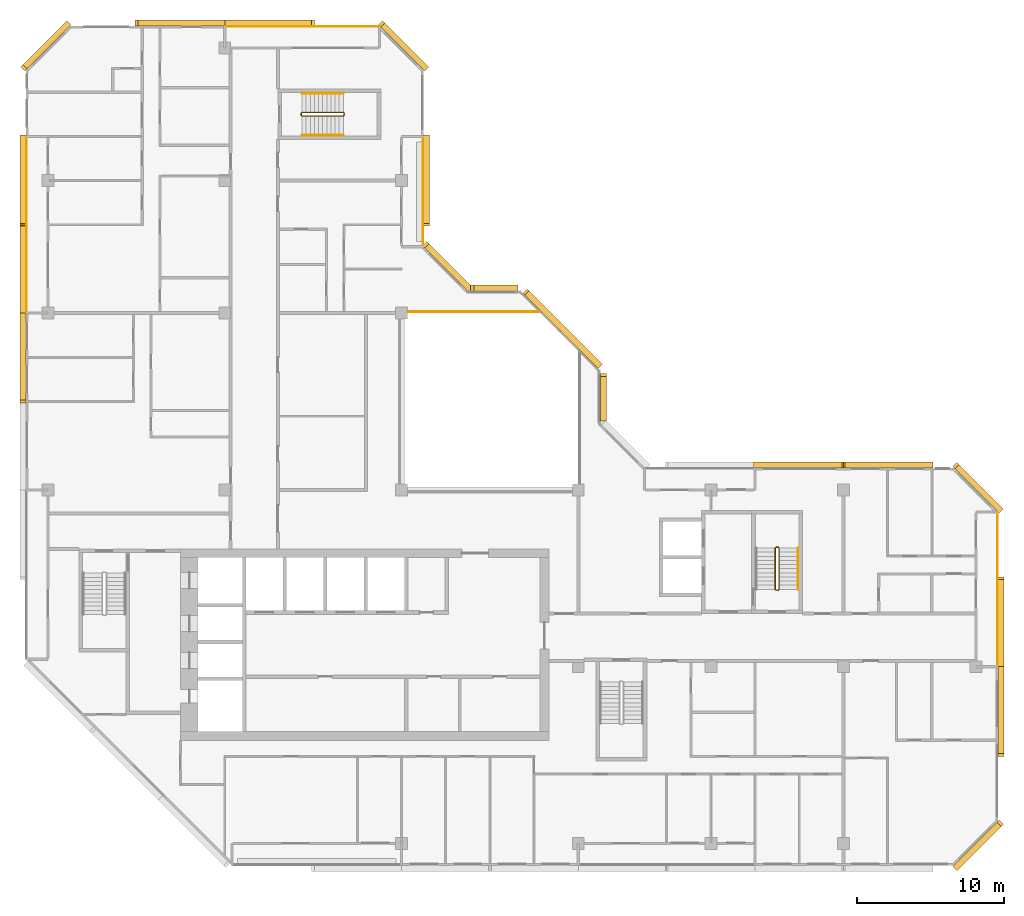
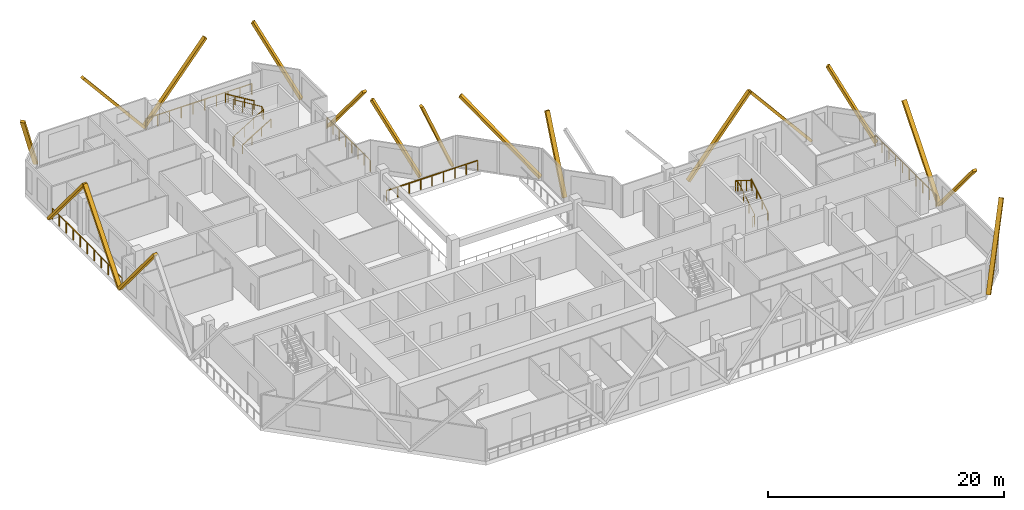
# One storey, part 13 of 13: 18 coverings, 10 railings.
"""IFC4 building model written with IfcOpenShell, lengths in metres."""

from ifc_helpers import new_model, si_unit, direction, frame, origin, origin_2d, place, context, subcontext, project, spatial, rectangle, extrude, material, material_profile, profile_set, type_object, element, save


model = new_model("IFC4")

# Units and contexts
model_context = context("Model", 3, precision=1e-05, world=origin(), true_north=direction((0.0, 1.0)))
body_context = subcontext(model_context, "Body", "Model", "MODEL_VIEW")
ifc_project = project(units=[si_unit("LENGTHUNIT", "METRE"), si_unit("AREAUNIT", "SQUARE_METRE"), si_unit("VOLUMEUNIT", "CUBIC_METRE"), si_unit("PLANEANGLEUNIT", "RADIAN"), si_unit("MASSUNIT", "GRAM", prefix="KILO")], contexts=[model_context])

# Site, building, storey
site_placement = place(None, origin())
site = spatial("IfcSite", under=ifc_project, at=site_placement, CompositionType="ELEMENT")
building_placement = place(site_placement, origin())
building = spatial("IfcBuilding", under=site, at=building_placement, Name="Chenar Terraces", CompositionType="ELEMENT")
storey_placement = place(building_placement, frame((0.0, 0.0, 280.89990234375)))
storey = spatial("IfcBuildingStorey", under=building, at=storey_placement, Name="L65", CompositionType="ELEMENT", Elevation=280.89990234375)

# Railings
ifc_material_1 = material(Name="Powder-coated steel", Category="steel")
railing_type_1 = type_object("IfcRailingType", Name="Guard 1100 steel rail with glass infill", PredefinedType="GUARDRAIL", material=ifc_material_1)
railing_1_placement = place(storey_placement, frame((24.449951171875, 36.10009765625, 0.0)))
element("IfcRailing", 1, at=railing_1_placement, inside=storey, type_object=railing_type_1, Name="Guard L65-2", PredefinedType="GUARDRAIL", context=body_context, shape_type="SweptSolid", body=[
    extrude(rectangle(XDim=0.06005859375, YDim=0.06005859375, at=origin_2d()), frame((0.0, 0.0, 1.070068359375), z_axis=(1.0, 0.0, 0.0), x_axis=(0.0, 1.0, 0.0)), (0.0, 0.0, 1.0), 8.949951171875),
    extrude(rectangle(XDim=0.050048828125, YDim=0.050048828125, at=origin_2d()), origin(), (0.0, 0.0, 1.0), 1.0400390625),
    extrude(rectangle(XDim=0.050048828125, YDim=0.050048828125, at=origin_2d()), frame((1.11865234375, 0.0, 0.0)), (0.0, 0.0, 1.0), 1.0400390625),
    extrude(rectangle(XDim=0.050048828125, YDim=0.050048828125, at=origin_2d()), frame((2.237548828125, 0.0, 0.0)), (0.0, 0.0, 1.0), 1.0400390625),
    extrude(rectangle(XDim=0.050048828125, YDim=0.050048828125, at=origin_2d()), frame((3.356201171875, 0.0, 0.0)), (0.0, 0.0, 1.0), 1.0400390625),
    extrude(rectangle(XDim=0.050048828125, YDim=0.050048828125, at=origin_2d()), frame((4.47509765625, 0.0, 0.0)), (0.0, 0.0, 1.0), 1.0400390625),
    extrude(rectangle(XDim=0.050048828125, YDim=0.050048828125, at=origin_2d()), frame((5.59375, 0.0, 0.0)), (0.0, 0.0, 1.0), 1.0400390625),
    extrude(rectangle(XDim=0.050048828125, YDim=0.050048828125, at=origin_2d()), frame((6.71240234375, 0.0, 0.0)), (0.0, 0.0, 1.0), 1.0400390625),
    extrude(rectangle(XDim=0.050048828125, YDim=0.050048828125, at=origin_2d()), frame((7.831298828125, 0.0, 0.0)), (0.0, 0.0, 1.0), 1.0400390625),
    extrude(rectangle(XDim=0.050048828125, YDim=0.050048828125, at=origin_2d()), frame((8.949951171875, 0.0, 0.0)), (0.0, 0.0, 1.0), 1.0400390625),
])
ifc_material_2 = material(Name="Stainless steel and glass", Category="steel")
railing_type_2 = type_object("IfcRailingType", Name="Loggia guard 1150", PredefinedType="GUARDRAIL", material=ifc_material_2)
railing_2_placement = place(storey_placement, frame((25.449951171875, 40.574951171875, 0.0)))
element("IfcRailing", 2, at=railing_2_placement, inside=storey, type_object=railing_type_2, Name="Loggia guard", PredefinedType="GUARDRAIL", context=body_context, shape_type="SweptSolid", body=[
    extrude(rectangle(XDim=0.048095703125, YDim=0.048095703125, at=origin_2d()), frame((0.0, 0.0, 1.1259765625), z_axis=(0.0, 1.0, 0.0), x_axis=(-1.0, 0.0, 0.0)), (0.0, 0.0, 1.0), 7.35009765625),
    extrude(rectangle(XDim=0.0419921875, YDim=0.0419921875, at=origin_2d()), origin(), (0.0, 0.0, 1.0), 1.101806640625),
    extrude(rectangle(XDim=0.0419921875, YDim=0.0419921875, at=origin_2d()), frame((0.0, 1.050048828125, 0.0)), (0.0, 0.0, 1.0), 1.101806640625),
    extrude(rectangle(XDim=0.0419921875, YDim=0.0419921875, at=origin_2d()), frame((0.0, 2.10009765625, 0.0)), (0.0, 0.0, 1.0), 1.101806640625),
    extrude(rectangle(XDim=0.0419921875, YDim=0.0419921875, at=origin_2d()), frame((0.0, 3.150146484375, 0.0)), (0.0, 0.0, 1.0), 1.101806640625),
    extrude(rectangle(XDim=0.0419921875, YDim=0.0419921875, at=origin_2d()), frame((0.0, 4.199951171875, 0.0)), (0.0, 0.0, 1.0), 1.101806640625),
    extrude(rectangle(XDim=0.0419921875, YDim=0.0419921875, at=origin_2d()), frame((0.0, 5.25, 0.0)), (0.0, 0.0, 1.0), 1.101806640625),
    extrude(rectangle(XDim=0.0419921875, YDim=0.0419921875, at=origin_2d()), frame((0.0, 6.300048828125, 0.0)), (0.0, 0.0, 1.0), 1.101806640625),
    extrude(rectangle(XDim=0.0419921875, YDim=0.0419921875, at=origin_2d()), frame((0.0, 7.35009765625, 0.0)), (0.0, 0.0, 1.0), 1.101806640625),
])
railing_3_placement = place(storey_placement, frame((64.449951171875, 12.074951171875, 0.0)))
element("IfcRailing", 3, at=railing_3_placement, inside=storey, type_object=railing_type_2, Name="Loggia guard", PredefinedType="GUARDRAIL", context=body_context, shape_type="SweptSolid", body=[
    extrude(rectangle(XDim=0.048095703125, YDim=0.048095703125, at=origin_2d()), frame((0.0, 0.0, 1.1259765625), z_axis=(0.0, 1.0, 0.0), x_axis=(-1.0, 0.0, 0.0)), (0.0, 0.0, 1.0), 10.35009765625),
    extrude(rectangle(XDim=0.0419921875, YDim=0.0419921875, at=origin_2d()), origin(), (0.0, 0.0, 1.0), 1.101806640625),
    extrude(rectangle(XDim=0.0419921875, YDim=0.0419921875, at=origin_2d()), frame((0.0, 1.14990234375, 0.0)), (0.0, 0.0, 1.0), 1.101806640625),
    extrude(rectangle(XDim=0.0419921875, YDim=0.0419921875, at=origin_2d()), frame((0.0, 2.300048828125, 0.0)), (0.0, 0.0, 1.0), 1.101806640625),
    extrude(rectangle(XDim=0.0419921875, YDim=0.0419921875, at=origin_2d()), frame((0.0, 3.449951171875, 0.0)), (0.0, 0.0, 1.0), 1.101806640625),
    extrude(rectangle(XDim=0.0419921875, YDim=0.0419921875, at=origin_2d()), frame((0.0, 4.60009765625, 0.0)), (0.0, 0.0, 1.0), 1.101806640625),
    extrude(rectangle(XDim=0.0419921875, YDim=0.0419921875, at=origin_2d()), frame((0.0, 5.75, 0.0)), (0.0, 0.0, 1.0), 1.101806640625),
    extrude(rectangle(XDim=0.0419921875, YDim=0.0419921875, at=origin_2d()), frame((0.0, 6.900146484375, 0.0)), (0.0, 0.0, 1.0), 1.101806640625),
    extrude(rectangle(XDim=0.0419921875, YDim=0.0419921875, at=origin_2d()), frame((0.0, 8.050048828125, 0.0)), (0.0, 0.0, 1.0), 1.101806640625),
    extrude(rectangle(XDim=0.0419921875, YDim=0.0419921875, at=origin_2d()), frame((0.0, 9.2001953125, 0.0)), (0.0, 0.0, 1.0), 1.101806640625),
    extrude(rectangle(XDim=0.0419921875, YDim=0.0419921875, at=origin_2d()), frame((0.0, 10.35009765625, 0.0)), (0.0, 0.0, 1.0), 1.101806640625),
])
railing_4_placement = place(storey_placement, frame((22.425048828125, 55.449951171875, 0.0)))
element("IfcRailing", 4, at=railing_4_placement, inside=storey, type_object=railing_type_2, Name="Loggia guard", PredefinedType="GUARDRAIL", context=body_context, shape_type="SweptSolid", body=[
    extrude(rectangle(XDim=0.048095703125, YDim=0.048095703125, at=origin_2d()), frame((0.0, 0.0, 1.1259765625), z_axis=(-1.0, 0.0, 0.0), x_axis=(0.0, -1.0, 0.0)), (0.0, 0.0, 1.0), 10.35009765625),
    extrude(rectangle(XDim=0.0419921875, YDim=0.0419921875, at=origin_2d()), origin(), (0.0, 0.0, 1.0), 1.101806640625),
    extrude(rectangle(XDim=0.0419921875, YDim=0.0419921875, at=origin_2d()), frame((-1.14990234375, 0.0, 0.0)), (0.0, 0.0, 1.0), 1.101806640625),
    extrude(rectangle(XDim=0.0419921875, YDim=0.0419921875, at=origin_2d()), frame((-2.300048828125, 0.0, 0.0)), (0.0, 0.0, 1.0), 1.101806640625),
    extrude(rectangle(XDim=0.0419921875, YDim=0.0419921875, at=origin_2d()), frame((-3.449951171875, 0.0, 0.0)), (0.0, 0.0, 1.0), 1.101806640625),
    extrude(rectangle(XDim=0.0419921875, YDim=0.0419921875, at=origin_2d()), frame((-4.60009765625, 0.0, 0.0)), (0.0, 0.0, 1.0), 1.101806640625),
    extrude(rectangle(XDim=0.0419921875, YDim=0.0419921875, at=origin_2d()), frame((-5.75, 0.0, 0.0)), (0.0, 0.0, 1.0), 1.101806640625),
    extrude(rectangle(XDim=0.0419921875, YDim=0.0419921875, at=origin_2d()), frame((-6.900146484375, 0.0, 0.0)), (0.0, 0.0, 1.0), 1.101806640625),
    extrude(rectangle(XDim=0.0419921875, YDim=0.0419921875, at=origin_2d()), frame((-8.050048828125, 0.0, 0.0)), (0.0, 0.0, 1.0), 1.101806640625),
    extrude(rectangle(XDim=0.0419921875, YDim=0.0419921875, at=origin_2d()), frame((-9.2001953125, 0.0, 0.0)), (0.0, 0.0, 1.0), 1.101806640625),
    extrude(rectangle(XDim=0.0419921875, YDim=0.0419921875, at=origin_2d()), frame((-10.35009765625, 0.0, 0.0)), (0.0, 0.0, 1.0), 1.101806640625),
])
railing_5_placement = place(storey_placement, frame((-1.449951171875, 47.925048828125, 0.0)))
element("IfcRailing", 5, at=railing_5_placement, inside=storey, type_object=railing_type_2, Name="Loggia guard", PredefinedType="GUARDRAIL", context=body_context, shape_type="SweptSolid", body=[
    extrude(rectangle(XDim=0.048095703125, YDim=0.048095703125, at=origin_2d()), frame((0.0, 0.0, 1.1259765625), z_axis=(0.0, -1.0, 0.0), x_axis=(1.0, 0.0, 0.0)), (0.0, 0.0, 1.0), 11.85009765625),
    extrude(rectangle(XDim=0.0419921875, YDim=0.0419921875, at=origin_2d()), origin(), (0.0, 0.0, 1.0), 1.101806640625),
    extrude(rectangle(XDim=0.0419921875, YDim=0.0419921875, at=origin_2d()), frame((0.0, -1.18505859375, 0.0)), (0.0, 0.0, 1.0), 1.101806640625),
    extrude(rectangle(XDim=0.0419921875, YDim=0.0419921875, at=origin_2d()), frame((0.0, -2.3701171875, 0.0)), (0.0, 0.0, 1.0), 1.101806640625),
    extrude(rectangle(XDim=0.0419921875, YDim=0.0419921875, at=origin_2d()), frame((0.0, -3.554931640625, 0.0)), (0.0, 0.0, 1.0), 1.101806640625),
    extrude(rectangle(XDim=0.0419921875, YDim=0.0419921875, at=origin_2d()), frame((0.0, -4.739990234375, 0.0)), (0.0, 0.0, 1.0), 1.101806640625),
    extrude(rectangle(XDim=0.0419921875, YDim=0.0419921875, at=origin_2d()), frame((0.0, -5.925048828125, 0.0)), (0.0, 0.0, 1.0), 1.101806640625),
    extrude(rectangle(XDim=0.0419921875, YDim=0.0419921875, at=origin_2d()), frame((0.0, -7.110107421875, 0.0)), (0.0, 0.0, 1.0), 1.101806640625),
    extrude(rectangle(XDim=0.0419921875, YDim=0.0419921875, at=origin_2d()), frame((0.0, -8.295166015625, 0.0)), (0.0, 0.0, 1.0), 1.101806640625),
    extrude(rectangle(XDim=0.0419921875, YDim=0.0419921875, at=origin_2d()), frame((0.0, -9.47998046875, 0.0)), (0.0, 0.0, 1.0), 1.101806640625),
    extrude(rectangle(XDim=0.0419921875, YDim=0.0419921875, at=origin_2d()), frame((0.0, -10.6650390625, 0.0)), (0.0, 0.0, 1.0), 1.101806640625),
    extrude(rectangle(XDim=0.0419921875, YDim=0.0419921875, at=origin_2d()), frame((0.0, -11.85009765625, 0.0)), (0.0, 0.0, 1.0), 1.101806640625),
])
ifc_material_3 = material(Name="Powder-coated steel", Category="steel")
railing_type_3 = type_object("IfcRailingType", Name="Stair guard 1100", PredefinedType="GUARDRAIL", material=ifc_material_3)
railing_6_placement = place(storey_placement, frame((49.375, 17.25, 3.75)))
element("IfcRailing", 6, at=railing_6_placement, inside=storey, type_object=railing_type_3, Name="L65 ST3 stair guard 1", PredefinedType="GUARDRAIL", context=body_context, shape_type="SweptSolid", body=[
    extrude(rectangle(XDim=0.048095703125, YDim=0.048095703125, at=origin_2d()), frame((0.0, 0.0, 1.076171875), z_axis=(0.0, 0.854202870247, -0.519939858505), x_axis=(-1.0, 0.0, 0.0)), (0.0, 0.0, 1.0), 3.278076171875),
    extrude(rectangle(XDim=0.048095703125, YDim=0.048095703125, at=origin_2d()), frame((0.0, 2.800048828125, -0.62841796875), z_axis=(0.270899902878, 0.270899902878, -0.923702595667), x_axis=(-0.707106781187, 0.707106781187, 0.0)), (0.0, 0.0, 1.0), 0.184814453125),
    extrude(rectangle(XDim=0.048095703125, YDim=0.048095703125, at=origin_2d()), frame((0.050048828125, 2.85009765625, -0.798828125), z_axis=(1.0, 0.0, 0.0), x_axis=(0.0, 1.0, 0.0)), (0.0, 0.0, 1.0), 0.14990234375),
    extrude(rectangle(XDim=0.048095703125, YDim=0.048095703125, at=origin_2d()), frame((0.199951171875, 2.85009765625, -0.798828125), z_axis=(0.707106781187, -0.707106781187, 0.0), x_axis=(0.707106781187, 0.707106781187, 0.0)), (0.0, 0.0, 1.0), 0.07080078125),
    extrude(rectangle(XDim=0.048095703125, YDim=0.048095703125, at=origin_2d()), frame((0.25, 2.800048828125, -0.798828125), z_axis=(0.0, -0.854202870247, -0.519939858505), x_axis=(1.0, 0.0, 0.0)), (0.0, 0.0, 1.0), 3.278076171875),
    extrude(rectangle(XDim=0.048095703125, YDim=0.048095703125, at=origin_2d()), frame((0.25, 0.0, -2.50341796875), z_axis=(-0.270899902878, -0.270899902878, -0.923702595667), x_axis=(0.707106781187, -0.707106781187, 0.0)), (0.0, 0.0, 1.0), 0.184814453125),
    extrude(rectangle(XDim=0.048095703125, YDim=0.048095703125, at=origin_2d()), frame((0.199951171875, -0.050048828125, -2.673828125), z_axis=(-1.0, 0.0, 0.0), x_axis=(0.0, -1.0, 0.0)), (0.0, 0.0, 1.0), 0.14990234375),
    extrude(rectangle(XDim=0.0419921875, YDim=0.0419921875, at=origin_2d()), origin(), (0.0, 0.0, 1.0), 1.052001953125),
    extrude(rectangle(XDim=0.0419921875, YDim=0.0419921875, at=origin_2d()), frame((0.0, 0.933349609375, -0.568115234375)), (0.0, 0.0, 1.0), 1.052001953125),
    extrude(rectangle(XDim=0.0419921875, YDim=0.0419921875, at=origin_2d()), frame((0.0, 1.86669921875, -1.13623046875)), (0.0, 0.0, 1.0), 1.052001953125),
    extrude(rectangle(XDim=0.0419921875, YDim=0.0419921875, at=origin_2d()), frame((0.0, 2.800048828125, -1.704345703125)), (0.0, 0.0, 1.0), 1.052001953125),
    extrude(rectangle(XDim=0.0419921875, YDim=0.0419921875, at=origin_2d()), frame((0.050048828125, 2.85009765625, -1.875)), (0.0, 0.0, 1.0), 1.052001953125),
    extrude(rectangle(XDim=0.0419921875, YDim=0.0419921875, at=origin_2d()), frame((0.199951171875, 2.85009765625, -1.875)), (0.0, 0.0, 1.0), 1.052001953125),
    extrude(rectangle(XDim=0.0419921875, YDim=0.0419921875, at=origin_2d()), frame((0.25, 2.800048828125, -1.875)), (0.0, 0.0, 1.0), 1.052001953125),
    extrude(rectangle(XDim=0.0419921875, YDim=0.0419921875, at=origin_2d()), frame((0.25, 1.86669921875, -2.443115234375)), (0.0, 0.0, 1.0), 1.052001953125),
    extrude(rectangle(XDim=0.0419921875, YDim=0.0419921875, at=origin_2d()), frame((0.25, 0.933349609375, -3.01123046875)), (0.0, 0.0, 1.0), 1.052001953125),
    extrude(rectangle(XDim=0.0419921875, YDim=0.0419921875, at=origin_2d()), frame((0.25, 0.0, -3.579345703125)), (0.0, 0.0, 1.0), 1.052001953125),
    extrude(rectangle(XDim=0.0419921875, YDim=0.0419921875, at=origin_2d()), frame((0.199951171875, -0.050048828125, -3.75)), (0.0, 0.0, 1.0), 1.052001953125),
    extrude(rectangle(XDim=0.0419921875, YDim=0.0419921875, at=origin_2d()), frame((0.050048828125, -0.050048828125, -3.75)), (0.0, 0.0, 1.0), 1.052001953125),
])
railing_7_placement = place(storey_placement, frame((17.25, 49.625, 3.75)))
element("IfcRailing", 7, at=railing_7_placement, inside=storey, type_object=railing_type_3, Name="L65 ST4 stair guard 1", PredefinedType="GUARDRAIL", context=body_context, shape_type="SweptSolid", body=[
    extrude(rectangle(XDim=0.048095703125, YDim=0.048095703125, at=origin_2d()), frame((0.0, 0.0, 1.076171875), z_axis=(0.854202870247, 0.0, -0.519939858505), x_axis=(0.0, 1.0, 0.0)), (0.0, 0.0, 1.0), 3.278076171875),
    extrude(rectangle(XDim=0.048095703125, YDim=0.048095703125, at=origin_2d()), frame((2.800048828125, 0.0, -0.62841796875), z_axis=(0.270899902878, -0.270899902878, -0.923702595667), x_axis=(0.707106781187, 0.707106781187, 0.0)), (0.0, 0.0, 1.0), 0.184814453125),
    extrude(rectangle(XDim=0.048095703125, YDim=0.048095703125, at=origin_2d()), frame((2.85009765625, -0.050048828125, -0.798828125), z_axis=(0.0, -1.0, 0.0), x_axis=(1.0, 0.0, 0.0)), (0.0, 0.0, 1.0), 0.14990234375),
    extrude(rectangle(XDim=0.048095703125, YDim=0.048095703125, at=origin_2d()), frame((2.85009765625, -0.199951171875, -0.798828125), z_axis=(-0.707106781187, -0.707106781187, 0.0), x_axis=(0.707106781187, -0.707106781187, 0.0)), (0.0, 0.0, 1.0), 0.07080078125),
    extrude(rectangle(XDim=0.048095703125, YDim=0.048095703125, at=origin_2d()), frame((2.800048828125, -0.25, -0.798828125), z_axis=(-0.854202870247, 0.0, -0.519939858505), x_axis=(0.0, -1.0, 0.0)), (0.0, 0.0, 1.0), 3.278076171875),
    extrude(rectangle(XDim=0.048095703125, YDim=0.048095703125, at=origin_2d()), frame((0.0, -0.25, -2.50341796875), z_axis=(-0.270899902878, 0.270899902878, -0.923702595667), x_axis=(-0.707106781187, -0.707106781187, 0.0)), (0.0, 0.0, 1.0), 0.184814453125),
    extrude(rectangle(XDim=0.048095703125, YDim=0.048095703125, at=origin_2d()), frame((-0.050048828125, -0.199951171875, -2.673828125), z_axis=(0.0, 1.0, 0.0), x_axis=(-1.0, 0.0, 0.0)), (0.0, 0.0, 1.0), 0.14990234375),
    extrude(rectangle(XDim=0.0419921875, YDim=0.0419921875, at=origin_2d()), origin(), (0.0, 0.0, 1.0), 1.052001953125),
    extrude(rectangle(XDim=0.0419921875, YDim=0.0419921875, at=origin_2d()), frame((0.933349609375, 0.0, -0.568115234375)), (0.0, 0.0, 1.0), 1.052001953125),
    extrude(rectangle(XDim=0.0419921875, YDim=0.0419921875, at=origin_2d()), frame((1.86669921875, 0.0, -1.13623046875)), (0.0, 0.0, 1.0), 1.052001953125),
    extrude(rectangle(XDim=0.0419921875, YDim=0.0419921875, at=origin_2d()), frame((2.800048828125, 0.0, -1.704345703125)), (0.0, 0.0, 1.0), 1.052001953125),
    extrude(rectangle(XDim=0.0419921875, YDim=0.0419921875, at=origin_2d()), frame((2.85009765625, -0.050048828125, -1.875)), (0.0, 0.0, 1.0), 1.052001953125),
    extrude(rectangle(XDim=0.0419921875, YDim=0.0419921875, at=origin_2d()), frame((2.85009765625, -0.199951171875, -1.875)), (0.0, 0.0, 1.0), 1.052001953125),
    extrude(rectangle(XDim=0.0419921875, YDim=0.0419921875, at=origin_2d()), frame((2.800048828125, -0.25, -1.875)), (0.0, 0.0, 1.0), 1.052001953125),
    extrude(rectangle(XDim=0.0419921875, YDim=0.0419921875, at=origin_2d()), frame((1.86669921875, -0.25, -2.443115234375)), (0.0, 0.0, 1.0), 1.052001953125),
    extrude(rectangle(XDim=0.0419921875, YDim=0.0419921875, at=origin_2d()), frame((0.933349609375, -0.25, -3.01123046875)), (0.0, 0.0, 1.0), 1.052001953125),
    extrude(rectangle(XDim=0.0419921875, YDim=0.0419921875, at=origin_2d()), frame((0.0, -0.25, -3.579345703125)), (0.0, 0.0, 1.0), 1.052001953125),
    extrude(rectangle(XDim=0.0419921875, YDim=0.0419921875, at=origin_2d()), frame((-0.050048828125, -0.199951171875, -3.75)), (0.0, 0.0, 1.0), 1.052001953125),
    extrude(rectangle(XDim=0.0419921875, YDim=0.0419921875, at=origin_2d()), frame((-0.050048828125, -0.050048828125, -3.75)), (0.0, 0.0, 1.0), 1.052001953125),
])
ifc_material_4 = material(Name="Powder-coated steel", Category="steel")
railing_type_4 = type_object("IfcRailingType", Name="Stair handrail 900", PredefinedType="HANDRAIL", material=ifc_material_4)
railing_8_placement = place(storey_placement, frame((50.925048828125, 17.25, 0.170654296875)))
element("IfcRailing", 8, at=railing_8_placement, inside=storey, type_object=railing_type_4, Name="L65 ST3 stair handrail 1", PredefinedType="HANDRAIL", context=body_context, shape_type="SweptSolid", body=[
    extrude(rectangle(XDim=0.048095703125, YDim=0.048095703125, at=origin_2d()), frame((0.0, 0.0, 0.8759765625), z_axis=(0.0, 0.854202870247, 0.519939858505), x_axis=(-1.0, 0.0, 0.0)), (0.0, 0.0, 1.0), 3.278076171875),
    extrude(rectangle(XDim=0.0419921875, YDim=0.0419921875, at=origin_2d()), origin(), (0.0, 0.0, 1.0), 0.851806640625),
    extrude(rectangle(XDim=0.0419921875, YDim=0.0419921875, at=origin_2d()), frame((0.0, 0.933349609375, 0.568115234375)), (0.0, 0.0, 1.0), 0.851806640625),
    extrude(rectangle(XDim=0.0419921875, YDim=0.0419921875, at=origin_2d()), frame((0.0, 1.86669921875, 1.13623046875)), (0.0, 0.0, 1.0), 0.851806640625),
    extrude(rectangle(XDim=0.0419921875, YDim=0.0419921875, at=origin_2d()), frame((0.0, 2.800048828125, 1.704345703125)), (0.0, 0.0, 1.0), 0.851806640625),
])
railing_9_placement = place(storey_placement, frame((17.25, 48.074951171875, 0.170654296875)))
element("IfcRailing", 9, at=railing_9_placement, inside=storey, type_object=railing_type_4, Name="L65 ST4 stair handrail 1", PredefinedType="HANDRAIL", context=body_context, shape_type="SweptSolid", body=[
    extrude(rectangle(XDim=0.048095703125, YDim=0.048095703125, at=origin_2d()), frame((0.0, 0.0, 0.8759765625), z_axis=(0.854202870247, 0.0, 0.519939858505), x_axis=(0.0, 1.0, 0.0)), (0.0, 0.0, 1.0), 3.278076171875),
    extrude(rectangle(XDim=0.0419921875, YDim=0.0419921875, at=origin_2d()), origin(), (0.0, 0.0, 1.0), 0.851806640625),
    extrude(rectangle(XDim=0.0419921875, YDim=0.0419921875, at=origin_2d()), frame((0.933349609375, 0.0, 0.568115234375)), (0.0, 0.0, 1.0), 0.851806640625),
    extrude(rectangle(XDim=0.0419921875, YDim=0.0419921875, at=origin_2d()), frame((1.86669921875, 0.0, 1.13623046875)), (0.0, 0.0, 1.0), 0.851806640625),
    extrude(rectangle(XDim=0.0419921875, YDim=0.0419921875, at=origin_2d()), frame((2.800048828125, 0.0, 1.704345703125)), (0.0, 0.0, 1.0), 0.851806640625),
])
railing_10_placement = place(storey_placement, frame((20.050048828125, 50.925048828125, 2.045654296875)))
element("IfcRailing", 10, at=railing_10_placement, inside=storey, type_object=railing_type_4, Name="L65 ST4 stair handrail 2", PredefinedType="HANDRAIL", context=body_context, shape_type="SweptSolid", body=[
    extrude(rectangle(XDim=0.048095703125, YDim=0.048095703125, at=origin_2d()), frame((0.0, 0.0, 0.8759765625), z_axis=(-0.854202870247, 0.0, 0.519939858505), x_axis=(0.0, -1.0, 0.0)), (0.0, 0.0, 1.0), 3.278076171875),
    extrude(rectangle(XDim=0.0419921875, YDim=0.0419921875, at=origin_2d()), origin(), (0.0, 0.0, 1.0), 0.851806640625),
    extrude(rectangle(XDim=0.0419921875, YDim=0.0419921875, at=origin_2d()), frame((-0.933349609375, 0.0, 0.568115234375)), (0.0, 0.0, 1.0), 0.851806640625),
    extrude(rectangle(XDim=0.0419921875, YDim=0.0419921875, at=origin_2d()), frame((-1.86669921875, 0.0, 1.13623046875)), (0.0, 0.0, 1.0), 0.851806640625),
    extrude(rectangle(XDim=0.0419921875, YDim=0.0419921875, at=origin_2d()), frame((-2.800048828125, 0.0, 1.704345703125)), (0.0, 0.0, 1.0), 0.851806640625),
])

# Coverings
ifc_material_5 = material(Name="Terracotta", Category="masonry")
ifc_material_profile = material_profile(ifc_material_5, rectangle(XDim=0.39990234375, YDim=0.25, at=origin_2d()), Name="Terracotta baguette 400 x 250")
ifc_profile_set = profile_set([ifc_material_profile], Name="Terracotta")
covering_type = type_object("IfcCoveringType", Name="Terracotta baguette 400 x 250", PredefinedType="CLADDING", material=ifc_profile_set)
for number, where, z_axis, x_axis, name in (
    (11, (60.0, 25.699951171875, 0.150146484375), (-0.640186961885, 0.0, 0.768219144407), (0.0, -1.0, 0.0), "Terracotta baguette"),
    (12, (54.0, 25.699951171875, 7.35009765625), (-0.640186961885, 0.0, -0.768219144407), (0.0, -1.0, 0.0), "Terracotta baguette"),
):
    element("IfcCovering", number, at=place(storey_placement, frame(where, z_axis=z_axis, x_axis=x_axis)), inside=storey, type_object=covering_type, Name=name, PredefinedType="CLADDING", context=body_context, shape_type="SweptSolid", body=[
        extrude(rectangle(XDim=0.39990234375, YDim=0.25, at=origin_2d()), origin(), (0.0, 0.0, 1.0), 9.372314453125),
    ])
covering_1_placement = place(storey_placement, frame((37.699951171875, 28.800048828125, 0.150146484375), z_axis=(0.0, 0.384617607118, 0.923075997031), x_axis=(-1.0, 0.0, 0.0)))
element("IfcCovering", 13, at=covering_1_placement, inside=storey, type_object=covering_type, Name="Terracotta baguette", PredefinedType="CLADDING", context=body_context, shape_type="SweptSolid", body=[
    extrude(rectangle(XDim=0.39990234375, YDim=0.25, at=origin_2d()), origin(), (0.0, 0.0, 1.0), 7.800048828125),
])
covering_2_placement = place(storey_placement, frame((37.42919921875, 32.45361328125, 0.150146484375), z_axis=(-0.494222393737, 0.4942466441, 0.715167449151), x_axis=(-0.707124128605, -0.707089433343, 0.0)))
element("IfcCovering", 14, at=covering_2_placement, inside=storey, type_object=covering_type, Name="Terracotta baguette", PredefinedType="CLADDING", context=body_context, shape_type="SweptSolid", body=[
    extrude(rectangle(XDim=0.39990234375, YDim=0.25, at=origin_2d()), origin(), (0.0, 0.0, 1.0), 10.0673828125),
])
covering_3_placement = place(storey_placement, frame((31.800048828125, 37.699951171875, 0.150146484375), z_axis=(-0.384617607118, 0.0, 0.923075997031), x_axis=(0.0, -1.0, 0.0)))
element("IfcCovering", 15, at=covering_3_placement, inside=storey, type_object=covering_type, Name="Terracotta baguette", PredefinedType="CLADDING", context=body_context, shape_type="SweptSolid", body=[
    extrude(rectangle(XDim=0.39990234375, YDim=0.25, at=origin_2d()), origin(), (0.0, 0.0, 1.0), 7.800048828125),
])
covering_4_placement = place(storey_placement, frame((28.641357421875, 37.641357421875, 0.150146484375), z_axis=(-0.358980886355, 0.358980886355, 0.861548284464), x_axis=(-0.707106781187, -0.707106781187, 0.0)))
element("IfcCovering", 16, at=covering_4_placement, inside=storey, type_object=covering_type, Name="Terracotta baguette", PredefinedType="CLADDING", context=body_context, shape_type="SweptSolid", body=[
    extrude(rectangle(XDim=0.39990234375, YDim=0.25, at=origin_2d()), origin(), (0.0, 0.0, 1.0), 8.35693359375),
])
covering_5_placement = place(storey_placement, frame((25.699951171875, 42.0, 7.35009765625), z_axis=(0.0, 0.640186961885, -0.768219144407), x_axis=(-1.0, 0.0, 0.0)))
element("IfcCovering", 17, at=covering_5_placement, inside=storey, type_object=covering_type, Name="Terracotta baguette", PredefinedType="CLADDING", context=body_context, shape_type="SweptSolid", body=[
    extrude(rectangle(XDim=0.39990234375, YDim=0.25, at=origin_2d()), origin(), (0.0, 0.0, 1.0), 9.372314453125),
])
covering_6_placement = place(storey_placement, frame((25.641357421875, 52.641357421875, 0.150146484375), z_axis=(-0.358980886355, 0.358980886355, 0.861548284464), x_axis=(-0.707106781187, -0.707106781187, 0.0)))
element("IfcCovering", 18, at=covering_6_placement, inside=storey, type_object=covering_type, Name="Terracotta baguette", PredefinedType="CLADDING", context=body_context, shape_type="SweptSolid", body=[
    extrude(rectangle(XDim=0.39990234375, YDim=0.25, at=origin_2d()), origin(), (0.0, 0.0, 1.0), 8.35693359375),
])
for number, where, z_axis, x_axis, name in (
    (19, (18.0, 55.699951171875, 7.35009765625), (-0.640186961885, 0.0, -0.768219144407), (0.0, -1.0, 0.0), "Terracotta baguette"),
    (20, (12.0, 55.699951171875, 0.150146484375), (-0.640186961885, 0.0, 0.768219144407), (0.0, -1.0, 0.0), "Terracotta baguette"),
):
    element("IfcCovering", number, at=place(storey_placement, frame(where, z_axis=z_axis, x_axis=x_axis)), inside=storey, type_object=covering_type, Name=name, PredefinedType="CLADDING", context=body_context, shape_type="SweptSolid", body=[
        extrude(rectangle(XDim=0.39990234375, YDim=0.25, at=origin_2d()), origin(), (0.0, 0.0, 1.0), 9.372314453125),
    ])
covering_7_placement = place(storey_placement, frame((1.358642578125, 55.641357421875, 0.150146484375), z_axis=(-0.358980886355, -0.358980886355, 0.861548284464), x_axis=(0.707106781187, -0.707106781187, 0.0)))
element("IfcCovering", 21, at=covering_7_placement, inside=storey, type_object=covering_type, Name="Terracotta baguette", PredefinedType="CLADDING", context=body_context, shape_type="SweptSolid", body=[
    extrude(rectangle(XDim=0.39990234375, YDim=0.25, at=origin_2d()), origin(), (0.0, 0.0, 1.0), 8.35693359375),
])
for number, where, z_axis, x_axis, name in (
    (22, (-1.699951171875, 48.0, 0.150146484375), (0.0, -0.640186961885, 0.768219144407), (1.0, 0.0, 0.0), "Terracotta baguette"),
    (23, (-1.699951171875, 42.0, 7.35009765625), (0.0, -0.640186961885, -0.768219144407), (1.0, 0.0, 0.0), "Terracotta baguette"),
    (24, (-1.699951171875, 36.0, 0.150146484375), (0.0, -0.640186961885, 0.768219144407), (1.0, 0.0, 0.0), "Terracotta baguette"),
):
    element("IfcCovering", number, at=place(storey_placement, frame(where, z_axis=z_axis, x_axis=x_axis)), inside=storey, type_object=covering_type, Name=name, PredefinedType="CLADDING", context=body_context, shape_type="SweptSolid", body=[
        extrude(rectangle(XDim=0.39990234375, YDim=0.25, at=origin_2d()), origin(), (0.0, 0.0, 1.0), 9.372314453125),
    ])
covering_8_placement = place(storey_placement, frame((61.641357421875, -1.641357421875, 0.150146484375), z_axis=(0.358980886355, 0.358980886355, 0.861548284464), x_axis=(-0.707106781187, 0.707106781187, 0.0)))
element("IfcCovering", 25, at=covering_8_placement, inside=storey, type_object=covering_type, Name="Terracotta baguette", PredefinedType="CLADDING", context=body_context, shape_type="SweptSolid", body=[
    extrude(rectangle(XDim=0.39990234375, YDim=0.25, at=origin_2d()), origin(), (0.0, 0.0, 1.0), 8.35693359375),
])
for number, where, z_axis, x_axis, name in (
    (26, (64.699951171875, 6.0, 7.35009765625), (0.0, 0.640186961885, -0.768219144407), (-1.0, 0.0, 0.0), "Terracotta baguette"),
    (27, (64.699951171875, 12.0, 0.150146484375), (0.0, 0.640186961885, 0.768219144407), (-1.0, 0.0, 0.0), "Terracotta baguette"),
):
    element("IfcCovering", number, at=place(storey_placement, frame(where, z_axis=z_axis, x_axis=x_axis)), inside=storey, type_object=covering_type, Name=name, PredefinedType="CLADDING", context=body_context, shape_type="SweptSolid", body=[
        extrude(rectangle(XDim=0.39990234375, YDim=0.25, at=origin_2d()), origin(), (0.0, 0.0, 1.0), 9.372314453125),
    ])
covering_9_placement = place(storey_placement, frame((64.641357421875, 22.641357421875, 0.150146484375), z_axis=(-0.358980886355, 0.358980886355, 0.861548284464), x_axis=(-0.707106781187, -0.707106781187, 0.0)))
element("IfcCovering", 28, at=covering_9_placement, inside=storey, type_object=covering_type, Name="Terracotta baguette", PredefinedType="CLADDING", context=body_context, shape_type="SweptSolid", body=[
    extrude(rectangle(XDim=0.39990234375, YDim=0.25, at=origin_2d()), origin(), (0.0, 0.0, 1.0), 8.35693359375),
])

save(model, "model.ifc")
